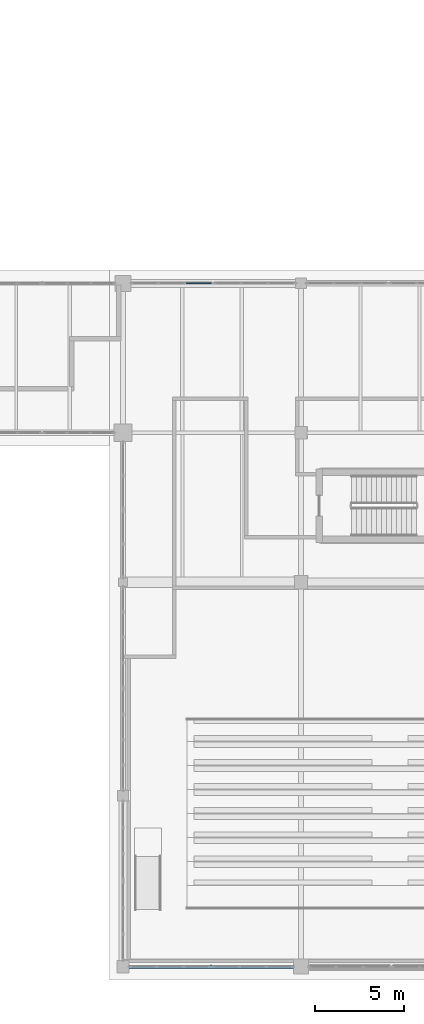
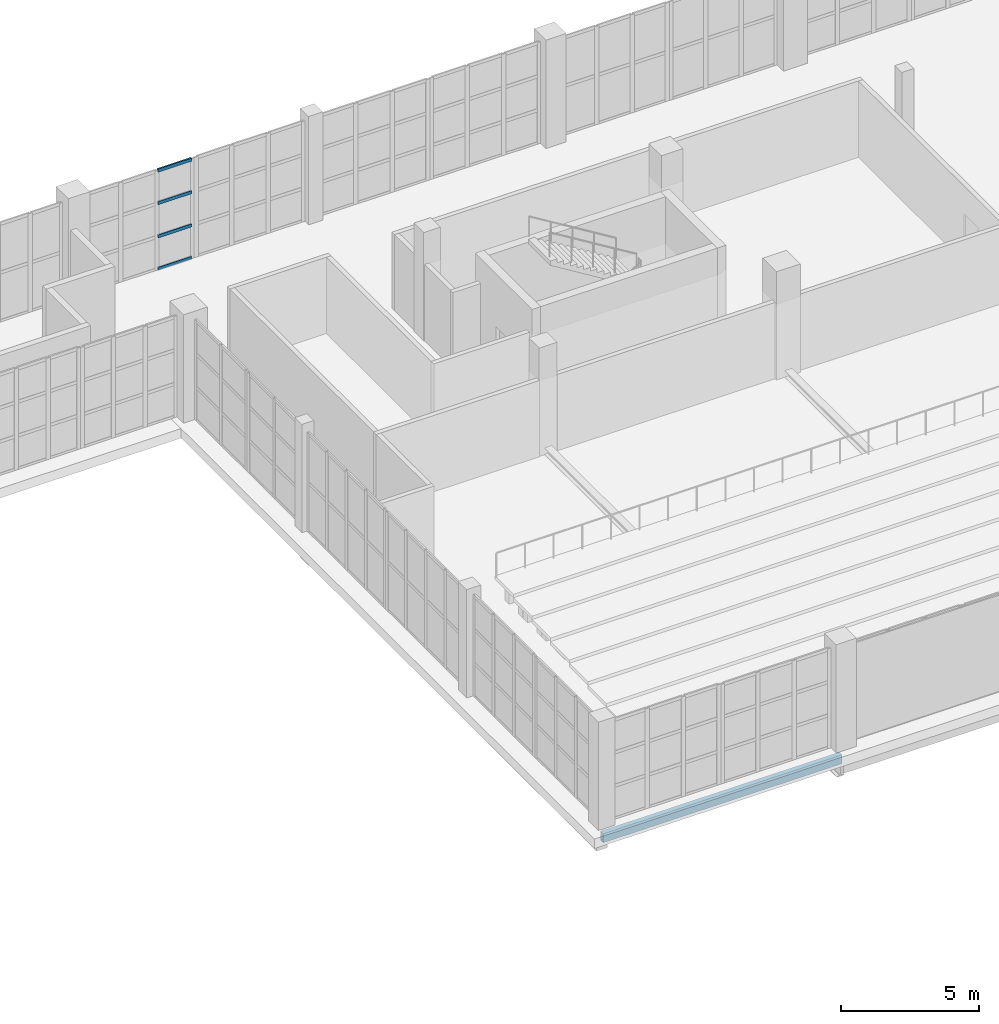
# One storey, part 58 of 121: 4 members, 1 beam, 1 element without a shape of its own.
"""IFC4 building model written with IfcOpenShell, lengths in metres."""

import ifcopenshell
import ifcopenshell.guid

model = None  # the IFC model being written
_history = None  # IfcOwnerHistory: only IFC2X3 demands one
_inside = {}  # id of a spatial element -> (the spatial element, [elements in it])
_under = {}  # id of a project, library or spatial element -> (it, [spatial elements below it])
_declared = {}  # id of a project -> (the project, [libraries it declares])
_typed = {}  # id of a type object -> (the type object, [elements of that type])
_made_of = {}  # id of a material, layer set ... -> (it, [elements and type objects made of it])


def new_model(schema):
    """Start an empty IFC model of exactly this schema.

    Asked for "IFC4X3", IfcOpenShell would pick the latest addendum, in which some entities
    have other attributes; the version numbers below select the first issue.
    IFC2X3 requires an IfcOwnerHistory on every rooted entity: one is made here for all.
    """
    global model, _history
    if schema == "IFC4X3":
        model = ifcopenshell.file(schema_version=(4, 3, 0, 0))
    else:
        model = ifcopenshell.file(schema=schema)
    _inside.clear()
    _under.clear()
    _declared.clear()
    _typed.clear()
    _made_of.clear()
    _history = None
    if model.schema == "IFC2X3":
        org = make("IfcOrganization", Name="unknown")
        user = make(
            "IfcPersonAndOrganization",
            ThePerson=make("IfcPerson", FamilyName="unknown"),
            TheOrganization=org,
        )
        app = make(
            "IfcApplication",
            ApplicationDeveloper=org,
            Version="unknown",
            ApplicationFullName="unknown",
            ApplicationIdentifier="unknown",
        )
        _history = make(
            "IfcOwnerHistory",
            OwningUser=user,
            OwningApplication=app,
            ChangeAction="ADDED",
            CreationDate=0,
        )
    return model


def make(cls, **values):
    """One entity of the class cls with the attributes given. An attribute that is None is left unset."""
    return model.create_entity(
        cls, **{name: value for name, value in values.items() if value is not None}
    )


def rooted(cls, **values):
    """An entity with a GlobalId (a new one), such as an element, a storey or a relation."""
    return make(cls, GlobalId=ifcopenshell.guid.new(), OwnerHistory=_history, **values)


def si_unit(unit_type, name, prefix=None):
    """IfcSIUnit, for example si_unit("LENGTHUNIT", "METRE", prefix="MILLI")."""
    return make("IfcSIUnit", UnitType=unit_type, Prefix=prefix, Name=name)


def assignment(units):
    """IfcUnitAssignment: the units of a project."""
    return None if units is None else make("IfcUnitAssignment", Units=units)


def point(xyz):
    """IfcCartesianPoint."""
    return None if xyz is None else make("IfcCartesianPoint", Coordinates=xyz)


def direction(xyz):
    """IfcDirection."""
    return None if xyz is None else make("IfcDirection", DirectionRatios=xyz)


def frame(location, z_axis=None, x_axis=None):
    """IfcAxis2Placement3D, a coordinate frame: its origin and axes. An axis left out is left unset."""
    return make(
        "IfcAxis2Placement3D",
        Location=point(location),
        Axis=direction(z_axis),
        RefDirection=direction(x_axis),
    )


def frame_2d(location, x_axis=None):
    """IfcAxis2Placement2D, a coordinate frame in the plane: its origin and x axis."""
    return make(
        "IfcAxis2Placement2D", Location=point(location), RefDirection=direction(x_axis)
    )


def origin():
    """The frame at (0, 0, 0) with its axes left unset."""
    return frame((0.0, 0.0, 0.0))


def origin_2d():
    """The frame at (0, 0) in the plane with its x axis left unset."""
    return frame_2d((0.0, 0.0))


def place(relative_to, where):
    """IfcLocalPlacement: puts the frame where relative to a parent placement (None: the world)."""
    return make(
        "IfcLocalPlacement", PlacementRelTo=relative_to, RelativePlacement=where
    )


def context(
    kind, dimensions, precision=None, world=None, true_north=None, identifier=None
):
    """IfcGeometricRepresentationContext, for example the 3D "Model" context."""
    return make(
        "IfcGeometricRepresentationContext",
        ContextIdentifier=identifier,
        ContextType=kind,
        CoordinateSpaceDimension=dimensions,
        Precision=precision,
        WorldCoordinateSystem=world,
        TrueNorth=true_north,
    )


def subcontext(parent, identifier, kind, view, scale=None):
    """IfcGeometricRepresentationSubContext, for example "Body" below "Model"."""
    return make(
        "IfcGeometricRepresentationSubContext",
        ContextIdentifier=identifier,
        ContextType=kind,
        ParentContext=parent,
        TargetScale=scale,
        TargetView=view,
    )


def project(units=None, contexts=None):
    """IfcProject with its units and contexts."""
    return rooted(
        "IfcProject",
        Name="project",
        RepresentationContexts=contexts,
        UnitsInContext=assignment(units),
    )


def spatial(cls, under=None, at=None, **own):
    """A site, building, storey or space (cls), placed at a placement, below another one or the project."""
    s = rooted(cls, ObjectPlacement=at, **own)
    if under is not None:
        _under.setdefault(under.id(), (under, []))[1].append(s)
    return s


def profile(cls, at=None, kind="AREA", **sizes):
    """A parametric profile (cls). Its sizes go by their IFC names, for example OverallWidth=200.0."""
    return make(cls, ProfileType=kind, Position=at, **sizes)


def rectangle(**sizes):
    """IfcRectangleProfileDef."""
    return profile("IfcRectangleProfileDef", **sizes)


def hollow_rectangle(**sizes):
    """IfcRectangleHollowProfileDef."""
    return profile("IfcRectangleHollowProfileDef", **sizes)


def extrude(swept, where, along, depth):
    """IfcExtrudedAreaSolid: the profile swept, set in the frame where, extruded along a direction by depth."""
    return make(
        "IfcExtrudedAreaSolid",
        SweptArea=swept,
        Position=where,
        ExtrudedDirection=direction(along),
        Depth=depth,
    )


def shape(context_of_items, identifier, shape_type, items):
    """IfcShapeRepresentation: the items that make up one representation, for example the "Body"."""
    return make(
        "IfcShapeRepresentation",
        ContextOfItems=context_of_items,
        RepresentationIdentifier=identifier,
        RepresentationType=shape_type,
        Items=items,
    )


def material(Name=None, Category=None):
    """IfcMaterial."""
    return make("IfcMaterial", Name=Name, Category=Category)


def layer(
    of_material, thickness, ventilated=None, Name=None, Category=None, Priority=None
):
    """IfcMaterialLayer: one layer of a wall or slab, of a material (None: an air gap)."""
    return make(
        "IfcMaterialLayer",
        Material=of_material,
        LayerThickness=thickness,
        IsVentilated=ventilated,
        Name=Name,
        Category=Category,
        Priority=Priority,
    )


def layer_set(layers, Name=None):
    """IfcMaterialLayerSet."""
    return make("IfcMaterialLayerSet", MaterialLayers=layers, LayerSetName=Name)


def material_profile(
    of_material, cross_section, Name=None, Category=None, Priority=None
):
    """IfcMaterialProfile: a cross section and its material."""
    return make(
        "IfcMaterialProfile",
        Name=Name,
        Material=of_material,
        Profile=cross_section,
        Priority=Priority,
        Category=Category,
    )


def profile_set(profiles, Name=None, composite=None):
    """IfcMaterialProfileSet."""
    return make(
        "IfcMaterialProfileSet",
        Name=Name,
        MaterialProfiles=profiles,
        CompositeProfile=composite,
    )


def made_of(thing, what):
    """Note that an element or type object is made of a material, layer set ...; save() writes the relation."""
    if what is not None:
        _made_of.setdefault(what.id(), (what, []))[1].append(thing)
    return thing


def type_object(cls, material=None, **own):
    """A type object (cls), such as IfcWallType, which elements share."""
    return made_of(rooted(cls, **own), material)


def element(
    cls,
    number,
    at=None,
    inside=None,
    cuts=None,
    type_object=None,
    material=None,
    context=None,
    identifier="Body",
    shape_type=None,
    held_by="IfcProductDefinitionShape",
    body=None,
    shapes=None,
    **own,
):
    """One element of the class cls, such as IfcWall. Its Tag is "e" and its number.

    at: its placement. inside: the storey or other place that contains it. cuts: it is an
    opening in that element (IfcRelVoidsElement). A single representation is given by context,
    identifier, shape_type and body (its items); several are given by shapes. held_by: the class
    of the entity that holds the representations. save() writes the other relations.
    """
    e = rooted(cls, Tag="e%d" % number, ObjectPlacement=at, **own)
    if body is not None:
        shapes = [shape(context, identifier, shape_type, body)]
    if shapes is not None:
        e.Representation = make(held_by, Representations=shapes)
    if inside is not None:
        _inside.setdefault(inside.id(), (inside, []))[1].append(e)
    if cuts is not None:
        rooted(
            "IfcRelVoidsElement", RelatingBuildingElement=cuts, RelatedOpeningElement=e
        )
    if type_object is not None:
        _typed.setdefault(type_object.id(), (type_object, []))[1].append(e)
    return made_of(e, material)


def aggregate(whole, parts):
    """IfcRelAggregates: a whole, such as a stair, and the parts it consists of."""
    return rooted("IfcRelAggregates", RelatingObject=whole, RelatedObjects=parts)


def save(model, path):
    """Write the relations noted so far, then the file.

    IfcRelAggregates (storeys below a building ...), IfcRelContainedInSpatialStructure (elements
    in a storey), IfcRelDefinesByType, IfcRelAssociatesMaterial and IfcRelDeclares: one each for
    every whole, place, type object, material and project.
    """
    for whole, parts in _under.values():
        aggregate(whole, parts)
    for where, things in _inside.values():
        rooted(
            "IfcRelContainedInSpatialStructure",
            RelatedElements=things,
            RelatingStructure=where,
        )
    for kind, things in _typed.values():
        rooted("IfcRelDefinesByType", RelatedObjects=things, RelatingType=kind)
    for what, things in _made_of.values():
        rooted("IfcRelAssociatesMaterial", RelatedObjects=things, RelatingMaterial=what)
    for by, libraries in _declared.values():
        rooted("IfcRelDeclares", RelatingContext=by, RelatedDefinitions=libraries)
    model.write(path)


model = new_model("IFC4")

# Units and contexts
model_context = context("Model", 3, precision=1e-05, world=origin(), true_north=direction((0.0, 1.0)))
body_context = subcontext(model_context, "Body", "Model", "MODEL_VIEW")
ifc_project = project(units=[si_unit("LENGTHUNIT", "METRE"), si_unit("AREAUNIT", "SQUARE_METRE"), si_unit("VOLUMEUNIT", "CUBIC_METRE"), si_unit("PLANEANGLEUNIT", "RADIAN"), si_unit("MASSUNIT", "GRAM", prefix="KILO")], contexts=[model_context])

# Site, building, storey
site_placement = place(None, origin())
site = spatial("IfcSite", under=ifc_project, at=site_placement, CompositionType="ELEMENT")
building_placement = place(site_placement, origin())
building = spatial("IfcBuilding", under=site, at=building_placement, Name="Zereglee Splitstone Museum", CompositionType="ELEMENT")
storey_placement = place(building_placement, origin())
storey = spatial("IfcBuildingStorey", under=building, at=storey_placement, Name="L00", CompositionType="ELEMENT", Elevation=0.0)

# Curtain wall, members
ifc_material_1 = material(Name="Triple-glazed low-E argon glass and bronze-anodised aluminium", Category="aluminium")
ifc_layer = layer(ifc_material_1, 0.179931640625)
ifc_layer_set = layer_set([ifc_layer], Name="Triple-glazed low-E argon glass and bronze-anodised aluminium")
curtain_wall_type = type_object("IfcCurtainWallType", Name="CW-0458-442", PredefinedType="USERDEFINED", material=ifc_layer_set)
curtain_wall_placement = place(storey_placement, origin())
curtain_wall = element("IfcCurtainWall", 1, at=curtain_wall_placement, inside=storey, type_object=curtain_wall_type, Name="Glazed Curtain Wall CW-0458-442 (L00)", ObjectType="GLAZED CURTAIN WALL", PredefinedType="USERDEFINED")
ifc_material_2 = material(Name="Thermally broken bronze-anodised aluminium", Category="aluminium")
ifc_material_profile_1 = material_profile(ifc_material_2, rectangle(XDim=0.06494140625, YDim=0.139892578125, at=origin_2d()), Name="CW TRAN 65x140")
ifc_profile_set_1 = profile_set([ifc_material_profile_1], Name="Thermally broken bronze-anodised aluminium")
member_type = type_object("IfcMemberType", Name="CWT-01", PredefinedType="USERDEFINED", material=ifc_profile_set_1)
member_1_placement = place(storey_placement, frame((260.969970703125, 38.39990234375, 0.032470703125), z_axis=(-1.0, 0.0, 0.0), x_axis=(0.0, -1.0, 0.0)))
member_1 = element("IfcMember", 2, at=member_1_placement, type_object=member_type, Name="CW-0458-442 transom 1.1", ObjectType="TRANSOM", PredefinedType="USERDEFINED", context=body_context, shape_type="SweptSolid", body=[
    extrude(rectangle(XDim=0.06494140625, YDim=0.139892578125, at=origin_2d()), origin(), (0.0, 0.0, 1.0), 1.42822265625),
])
member_2_placement = place(storey_placement, frame((260.969970703125, 38.39990234375, 1.473388671875), z_axis=(-1.0, 0.0, 0.0), x_axis=(0.0, -1.0, 0.0)))
member_2 = element("IfcMember", 3, at=member_2_placement, type_object=member_type, Name="CW-0458-442 transom 1.2", ObjectType="TRANSOM", PredefinedType="USERDEFINED", context=body_context, shape_type="SweptSolid", body=[
    extrude(rectangle(XDim=0.06494140625, YDim=0.139892578125, at=origin_2d()), origin(), (0.0, 0.0, 1.0), 1.42822265625),
])
member_3_placement = place(storey_placement, frame((260.969970703125, 38.39990234375, 2.94677734375), z_axis=(-1.0, 0.0, 0.0), x_axis=(0.0, -1.0, 0.0)))
member_3 = element("IfcMember", 4, at=member_3_placement, type_object=member_type, Name="CW-0458-442 transom 1.3", ObjectType="TRANSOM", PredefinedType="USERDEFINED", context=body_context, shape_type="SweptSolid", body=[
    extrude(rectangle(XDim=0.06494140625, YDim=0.139892578125, at=origin_2d()), origin(), (0.0, 0.0, 1.0), 1.42822265625),
])
member_4_placement = place(storey_placement, frame((260.969970703125, 38.39990234375, 4.387451171875), z_axis=(-1.0, 0.0, 0.0), x_axis=(0.0, -1.0, 0.0)))
member_4 = element("IfcMember", 5, at=member_4_placement, type_object=member_type, Name="CW-0458-442 transom 1.4", ObjectType="TRANSOM", PredefinedType="USERDEFINED", context=body_context, shape_type="SweptSolid", body=[
    extrude(rectangle(XDim=0.06494140625, YDim=0.139892578125, at=origin_2d()), origin(), (0.0, 0.0, 1.0), 1.42822265625),
])
aggregate(curtain_wall, [member_1, member_2, member_3, member_4])

# Beam
ifc_material_3 = material(Name="Steel S355J2H", Category="steel")
ifc_material_profile_2 = material_profile(ifc_material_3, hollow_rectangle(XDim=0.199951171875, YDim=0.39990234375, WallThickness=0.01611328125, at=origin_2d()), Name="RHS 400x200x16")
ifc_profile_set_2 = profile_set([ifc_material_profile_2], Name="Steel S355J2H")
beam_type = type_object("IfcBeamType", Name="SP-04", PredefinedType="SPANDREL", material=ifc_profile_set_2)
beam_placement = place(storey_placement, frame((256.0, 0.0, -0.6201171875), z_axis=(1.0, 0.0, 0.0), x_axis=(0.0, 1.0, 0.0)))
element("IfcBeam", 6, at=beam_placement, inside=storey, type_object=beam_type, Name="Primary Girder L00 A (256.0-266.0)", PredefinedType="SPANDREL", context=body_context, shape_type="SweptSolid", body=[
    extrude(hollow_rectangle(XDim=0.199951171875, YDim=0.39990234375, WallThickness=0.01611328125, at=origin_2d()), origin(), (0.0, 0.0, 1.0), 10.0),
])

save(model, "model.ifc")
